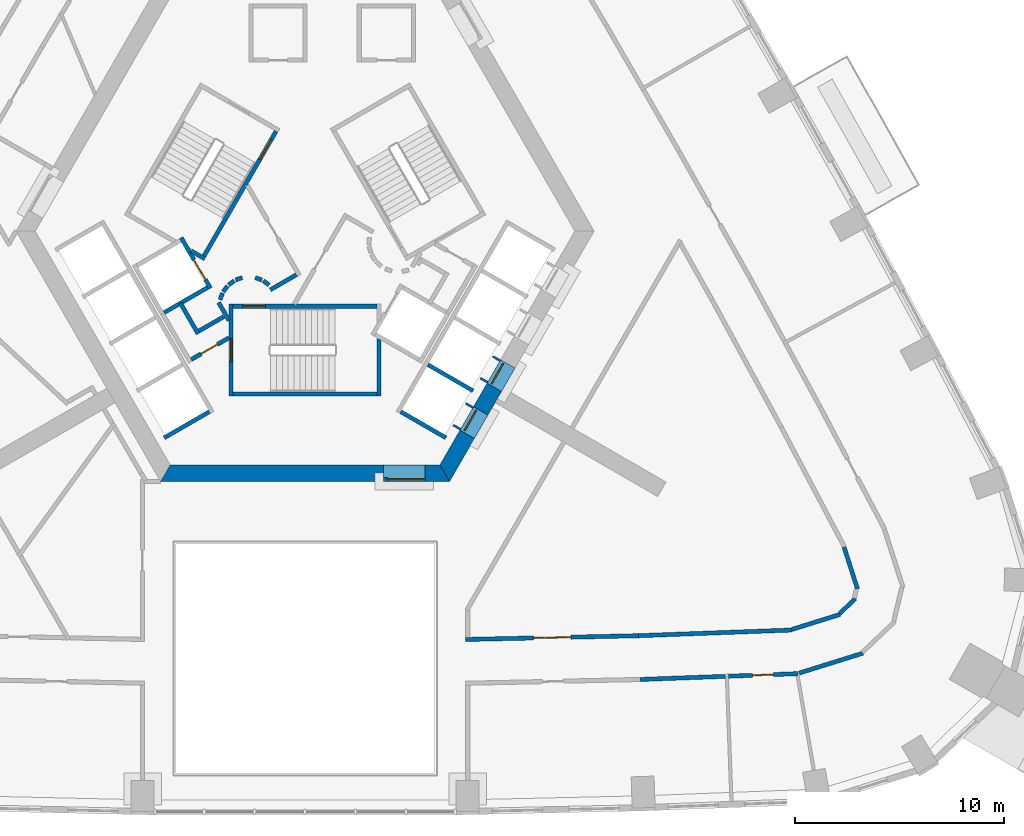
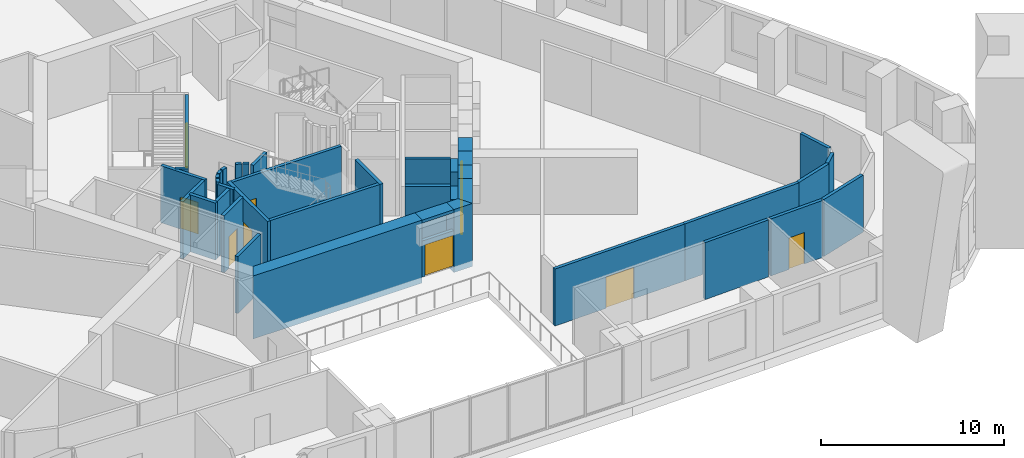
# One storey, part 6 of 14: 40 walls, 10 doors, 10 openings.
"""IFC4 building model written with IfcOpenShell, lengths in metres."""

from ifc_helpers import new_model, si_unit, direction, frame, frame_2d, origin, place, context, subcontext, project, spatial, polyline, rectangle, outline, extrude, material, layer, layer_set, type_object, element, fill, save


model = new_model("IFC4")

# Units and contexts
model_context = context("Model", 3, precision=1e-05, world=origin(), true_north=direction((0.0, 1.0)))
body_context = subcontext(model_context, "Body", "Model", "MODEL_VIEW")
ifc_project = project(units=[si_unit("LENGTHUNIT", "METRE"), si_unit("AREAUNIT", "SQUARE_METRE"), si_unit("VOLUMEUNIT", "CUBIC_METRE"), si_unit("PLANEANGLEUNIT", "RADIAN"), si_unit("MASSUNIT", "GRAM", prefix="KILO")], contexts=[model_context])

# Site, building, storey
site_placement = place(None, origin())
site = spatial("IfcSite", under=ifc_project, at=site_placement, CompositionType="ELEMENT")
building_placement = place(site_placement, origin())
building = spatial("IfcBuilding", under=site, at=building_placement, Name="Entoto Arch Interchange Tower", CompositionType="ELEMENT")
storey_placement = place(building_placement, frame((0.0, 0.0, 163.39990234375)))
storey = spatial("IfcBuildingStorey", under=building, at=storey_placement, Name="L36", CompositionType="ELEMENT", Elevation=163.39990234375)

# Wall, opening, door
ifc_material_1 = material(Name="Reinforced concrete C40/50", Category="concrete")
ifc_layer_1 = layer(ifc_material_1, 0.199951171875)
ifc_layer_set_1 = layer_set([ifc_layer_1], Name="Reinforced concrete C40/50")
wall_type_1 = type_object("IfcWallType", Name="CORE GAP INFILL WALL", PredefinedType="PARTITIONING", material=ifc_layer_set_1)
wall_1_placement = place(storey_placement, frame((3.75, -9.39990234375, 0.0), z_axis=(0.0, 0.0, 1.0), x_axis=(1.0, 0.0, 0.0)))
wall_1 = element("IfcWall", 1, at=wall_1_placement, inside=storey, type_object=wall_type_1, Name="wall:L36:gap1", PredefinedType="PARTITIONING", context=body_context, shape_type="SweptSolid", body=[
    extrude(rectangle(XDim=2.0, YDim=0.199951171875, at=frame_2d((1.0, 0.0))), origin(), (0.0, 0.0, 1.0), 2.400146484375),
])
opening_1_placement = place(wall_1_placement, frame((0.18994140625, 0.0, 0.0)))
opening_1 = element("IfcOpeningElement", 2, at=opening_1_placement, cuts=wall_1, Name="Opening L36-D91", PredefinedType="OPENING", context=body_context, shape_type="SweptSolid", body=[
    extrude(rectangle(XDim=1.800048828125, YDim=2.10009765625, at=frame_2d((0.89990234375, 1.050048828125))), frame((0.0, 0.10986328125, 0.0), z_axis=(0.0, -1.0, 0.0), x_axis=(1.0, 0.0, 0.0)), (0.0, 0.0, 1.0), 0.219970703125),
])
ifc_material_2 = material(Name="Fire-rated Steel S235 door and frame", Category="steel")
door_type_1 = type_object("IfcDoorType", Name="DOOR FD-18 1800x2100", OperationType="DOUBLE_DOOR_SINGLE_SWING", PredefinedType="DOOR", material=ifc_material_2)
door_1_placement = place(opening_1_placement, origin())
door_1 = element("IfcDoor", 3, at=door_1_placement, inside=storey, type_object=door_type_1, Name="door:L36:gap1", OperationType="DOUBLE_DOOR_SINGLE_SWING", OverallHeight=2.10009765625, OverallWidth=1.800048828125, PredefinedType="DOOR", context=body_context, shape_type="SweptSolid", body=[
    extrude(rectangle(XDim=1.800048828125, YDim=2.10009765625, at=frame_2d((0.89990234375, 1.050048828125))), frame((0.0, 0.02490234375, 0.0), z_axis=(0.0, -1.0, 0.0), x_axis=(1.0, 0.0, 0.0)), (0.0, 0.0, 1.0), 0.050048828125),
])
fill(opening_1, door_1)

# Walls
ifc_material_3 = material(Name="Concrete C50/60", Category="concrete")
ifc_layer_2 = layer(ifc_material_3, 0.800048828125)
ifc_layer_set_2 = layer_set([ifc_layer_2], Name="Concrete C50/60")
wall_type_2 = type_object("IfcWallType", Name="Core wall 800 C50/60", PredefinedType="SHEAR", material=ifc_layer_set_2)
wall_2_placement = place(storey_placement, frame((0.0, 0.0, -0.39990234375)))
element("IfcWall", 4, at=wall_2_placement, inside=storey, type_object=wall_type_2, Name="Core wall S L36", PredefinedType="SHEAR", context=body_context, shape_type="SweptSolid", body=[
    extrude(outline(polyline([(3.75, -9.5), (3.75, -8.699951171875), (-6.466064453125, -8.699951171875), (-6.927978515625, -9.5), (3.75, -9.5)])), origin(), (0.0, 0.0, 1.0), 4.199951171875),
])
wall_3_placement = place(storey_placement, frame((0.0, 0.0, -0.39990234375)))
element("IfcWall", 5, at=wall_3_placement, inside=storey, type_object=wall_type_2, Name="Core wall S L36", PredefinedType="SHEAR", context=body_context, shape_type="SweptSolid", body=[
    extrude(outline(polyline([(5.75, -8.699951171875), (5.75, -9.5), (6.927978515625, -9.5), (6.466064453125, -8.699951171875), (5.75, -8.699951171875)])), origin(), (0.0, 0.0, 1.0), 4.199951171875),
])
wall_4_placement = place(storey_placement, frame((0.0, 0.0, 3.60009765625)))
element("IfcWall", 6, at=wall_4_placement, inside=storey, type_object=wall_type_2, Name="Core wall lintel S L36", PredefinedType="SHEAR", context=body_context, shape_type="SweptSolid", body=[
    extrude(outline(polyline([(5.75, -9.5), (5.75, -8.699951171875), (3.75, -8.699951171875), (3.75, -9.5), (5.75, -9.5)])), origin(), (0.0, 0.0, 1.0), 0.199951171875),
])
wall_5_placement = place(storey_placement, frame((0.0, 0.0, -0.39990234375)))
element("IfcWall", 7, at=wall_5_placement, inside=storey, type_object=wall_type_2, Name="Core wall SE L36", PredefinedType="SHEAR", context=body_context, shape_type="SweptSolid", body=[
    extrude(outline(polyline([(8.116943359375, -7.43994140625), (7.424072265625, -7.0400390625), (6.466064453125, -8.699951171875), (6.927978515625, -9.5), (8.116943359375, -7.43994140625)])), origin(), (0.0, 0.0, 1.0), 4.199951171875),
])
wall_6_placement = place(storey_placement, frame((0.0, 0.0, -0.39990234375)))
element("IfcWall", 8, at=wall_6_placement, inside=storey, type_object=wall_type_2, Name="Core wall SE L36", PredefinedType="SHEAR", context=body_context, shape_type="SweptSolid", body=[
    extrude(outline(polyline([(9.4169921875, -5.18896484375), (8.72412109375, -4.7890625), (8.074951171875, -5.9140625), (8.76708984375, -6.31396484375), (9.4169921875, -5.18896484375)])), origin(), (0.0, 0.0, 1.0), 4.199951171875),
])
wall_7_placement = place(storey_placement, frame((0.0, 0.0, 3.60009765625)))
element("IfcWall", 9, at=wall_7_placement, inside=storey, type_object=wall_type_2, Name="Core wall lintel SE L36", PredefinedType="SHEAR", context=body_context, shape_type="SweptSolid", body=[
    extrude(outline(polyline([(8.76708984375, -6.31396484375), (8.074951171875, -5.9140625), (7.424072265625, -7.0400390625), (8.116943359375, -7.43994140625), (8.76708984375, -6.31396484375)])), origin(), (0.0, 0.0, 1.0), 0.199951171875),
])
wall_8_placement = place(storey_placement, frame((0.0, 0.0, 3.60009765625)))
element("IfcWall", 10, at=wall_8_placement, inside=storey, type_object=wall_type_2, Name="Core wall lintel SE L36", PredefinedType="SHEAR", context=body_context, shape_type="SweptSolid", body=[
    extrude(outline(polyline([(10.06689453125, -4.06298828125), (9.3740234375, -3.6630859375), (8.72412109375, -4.7890625), (9.4169921875, -5.18896484375), (10.06689453125, -4.06298828125)])), origin(), (0.0, 0.0, 1.0), 0.199951171875),
])

# Wall, opening, door
ifc_material_4 = material(Name="Concrete C40/50", Category="concrete")
ifc_layer_3 = layer(ifc_material_4, 1.199951171875)
ifc_layer_set_3 = layer_set([ifc_layer_3], Name="Concrete C40/50")
wall_type_3 = type_object("IfcWallType", Name="LIFT LANDING INFILL WALL", PredefinedType="STANDARD", material=ifc_layer_set_3)
wall_9_placement = place(storey_placement, frame((7.597900390625, -7.139892578125, 0.0), z_axis=(0.0, 0.0, 1.0), x_axis=(0.500362116554, 0.865816234728, 0.0)))
wall_9 = element("IfcWall", 11, at=wall_9_placement, inside=storey, type_object=wall_type_3, Name="Lift landing infill wall LR5 L36", PredefinedType="STANDARD", context=body_context, shape_type="SweptSolid", body=[
    extrude(rectangle(XDim=1.29931640625, YDim=1.199951171875, at=frame_2d((0.649658203125, 0.0))), origin(), (0.0, 0.0, 1.0), 2.400146484375),
])
opening_2_placement = place(wall_9_placement, frame((0.10009765625, 0.0, 0.0)))
opening_2 = element("IfcOpeningElement", 12, at=opening_2_placement, cuts=wall_9, Name="Opening LD-LR5-L36", PredefinedType="OPENING", context=body_context, shape_type="SweptSolid", body=[
    extrude(rectangle(XDim=1.10009765625, YDim=2.300048828125, at=frame_2d((0.550048828125, 1.14990234375))), frame((0.0, 0.60986328125, 0.0), z_axis=(0.0, -1.0, 0.0), x_axis=(1.0, 0.0, 0.0)), (0.0, 0.0, 1.0), 1.219970703125),
])
ifc_material_5 = material(Name="Stainless steel 1.4301 panels", Category="steel")
door_type_2 = type_object("IfcDoorType", Name="LIFT LANDING DOOR LD2 1100x2300", OperationType="SLIDING_TO_LEFT", PredefinedType="DOOR", material=ifc_material_5)
door_2_placement = place(opening_2_placement, origin())
door_2 = element("IfcDoor", 13, at=door_2_placement, inside=storey, type_object=door_type_2, Name="Lift landing door LR5 L36", OperationType="SLIDING_TO_LEFT", OverallHeight=2.300048828125, OverallWidth=1.10009765625, PredefinedType="DOOR", context=body_context, shape_type="SweptSolid", body=[
    extrude(rectangle(XDim=1.10009765625, YDim=2.300048828125, at=frame_2d((0.550048828125, 1.14990234375))), frame((0.0, 0.02490234375, 0.0), z_axis=(0.0, -1.0, 0.0), x_axis=(1.0, 0.0, 0.0)), (0.0, 0.0, 1.0), 0.050048828125),
])
fill(opening_2, door_2)

wall_10_placement = place(storey_placement, frame((8.89794921875, -4.888916015625, 0.0), z_axis=(0.0, 0.0, 1.0), x_axis=(0.500036693733, 0.866004217611, 0.0)))
wall_10 = element("IfcWall", 14, at=wall_10_placement, inside=storey, type_object=wall_type_3, Name="Lift landing infill wall LR6 L36", PredefinedType="STANDARD", context=body_context, shape_type="SweptSolid", body=[
    extrude(rectangle(XDim=1.30029296875, YDim=1.199951171875, at=frame_2d((0.650146484375, 0.0))), origin(), (0.0, 0.0, 1.0), 2.400146484375),
])
opening_3_placement = place(wall_10_placement, frame((0.10009765625, 0.0, 0.0)))
opening_3 = element("IfcOpeningElement", 15, at=opening_3_placement, cuts=wall_10, Name="Opening LD-LR6-L36", PredefinedType="OPENING", context=body_context, shape_type="SweptSolid", body=[
    extrude(rectangle(XDim=1.10009765625, YDim=2.300048828125, at=frame_2d((0.550048828125, 1.14990234375))), frame((0.0, 0.60986328125, 0.0), z_axis=(0.0, -1.0, 0.0), x_axis=(1.0, 0.0, 0.0)), (0.0, 0.0, 1.0), 1.219970703125),
])
door_3_placement = place(opening_3_placement, origin())
door_3 = element("IfcDoor", 16, at=door_3_placement, inside=storey, type_object=door_type_2, Name="Lift landing door LR6 L36", OperationType="SLIDING_TO_LEFT", OverallHeight=2.300048828125, OverallWidth=1.10009765625, PredefinedType="DOOR", context=body_context, shape_type="SweptSolid", body=[
    extrude(rectangle(XDim=1.10009765625, YDim=2.300048828125, at=frame_2d((0.550048828125, 1.14990234375))), frame((0.0, 0.02490234375, 0.0), z_axis=(0.0, -1.0, 0.0), x_axis=(1.0, 0.0, 0.0)), (0.0, 0.0, 1.0), 0.050048828125),
])
fill(opening_3, door_3)

ifc_layer_4 = layer(ifc_material_4, 0.199951171875)
ifc_layer_set_4 = layer_set([ifc_layer_4], Name="Concrete C40/50")
wall_type_4 = type_object("IfcWallType", Name="LIFT SHAFT WALL 200", PredefinedType="STANDARD", material=ifc_layer_set_4)
wall_11_placement = place(storey_placement, frame((-5.93994140625, 2.18798828125, 0.0), z_axis=(0.0, 0.0, 1.0), x_axis=(0.49994636267, -0.866056369097, 0.0)))
wall_11 = element("IfcWall", 17, at=wall_11_placement, inside=storey, type_object=wall_type_4, Name="Shaft wall SW1 front", PredefinedType="STANDARD", context=body_context, shape_type="SweptSolid", body=[
    extrude(rectangle(XDim=2.800048828125, YDim=0.199951171875, at=frame_2d((1.39990234375, 0.0))), origin(), (0.0, 0.0, 1.0), 3.800048828125),
])
opening_4_placement = place(wall_11_placement, frame((1.22509765625, 0.0, 0.0)))
opening_4 = element("IfcOpeningElement", 18, at=opening_4_placement, cuts=wall_11, Name="Opening LD-FF2-L36", PredefinedType="OPENING", context=body_context, shape_type="SweptSolid", body=[
    extrude(rectangle(XDim=1.10009765625, YDim=2.10009765625, at=frame_2d((0.550048828125, 1.050048828125))), frame((0.0, 0.10986328125, 0.0), z_axis=(0.0, -1.0, 0.0), x_axis=(1.0, 0.0, 0.0)), (0.0, 0.0, 1.0), 0.219970703125),
])
door_type_3 = type_object("IfcDoorType", Name="LIFT LANDING DOOR LD1 1100x2100", OperationType="SLIDING_TO_LEFT", PredefinedType="DOOR", material=ifc_material_5)
door_4_placement = place(opening_4_placement, origin())
door_4 = element("IfcDoor", 19, at=door_4_placement, inside=storey, type_object=door_type_3, Name="Lift landing door FF2 L36", OperationType="SLIDING_TO_LEFT", OverallHeight=2.10009765625, OverallWidth=1.10009765625, PredefinedType="DOOR", context=body_context, shape_type="SweptSolid", body=[
    extrude(rectangle(XDim=1.10009765625, YDim=2.10009765625, at=frame_2d((0.550048828125, 1.050048828125))), frame((0.0, 0.02490234375, 0.0), z_axis=(0.0, -1.0, 0.0), x_axis=(1.0, 0.0, 0.0)), (0.0, 0.0, 1.0), 0.050048828125),
])
fill(opening_4, door_4)

# Walls
wall_12_placement = place(storey_placement, frame((-4.677001953125, -0.199951171875, 0.0), z_axis=(0.0, 0.0, 1.0), x_axis=(-0.865973769406, -0.500089422704, 0.0)))
element("IfcWall", 20, at=wall_12_placement, inside=storey, type_object=wall_type_4, Name="Shaft wall SW1 cross 2", PredefinedType="STANDARD", context=body_context, shape_type="SweptSolid", body=[
    extrude(rectangle(XDim=2.3994140625, YDim=0.199951171875, at=frame_2d((1.19970703125, 0.0))), origin(), (0.0, 0.0, 1.0), 3.800048828125),
])
for number, where, z_axis, x_axis, name in (
    (21, (-4.587890625, -6.153076171875, 0.0), (0.0, 0.0, 1.0), (-0.866022959057, -0.500004234368, 0.0), "Shaft wall SW3 cross 5"),
    (22, (4.587890625, -6.153076171875, 0.0), (0.0, 0.0, 1.0), (0.866022959057, -0.500004234368, 0.0), "Shaft wall SE3 cross 1"),
    (23, (5.887939453125, -3.902099609375, 0.0), (0.0, 0.0, 1.0), (0.866022959057, -0.500004234368, 0.0), "Shaft wall SE3 cross 2"),
):
    element("IfcWall", number, at=place(storey_placement, frame(where, z_axis=z_axis, x_axis=x_axis)), inside=storey, type_object=wall_type_4, Name=name, PredefinedType="STANDARD", context=body_context, shape_type="SweptSolid", body=[
        extrude(rectangle(XDim=2.5, YDim=0.199951171875, at=frame_2d((1.25, 0.0))), origin(), (0.0, 0.0, 1.0), 3.800048828125),
    ])

# Wall, opening, door
ifc_material_6 = material(Name="Gypsum board partition on steel studs", Category="steel")
ifc_layer_5 = layer(ifc_material_6, 0.199951171875)
ifc_layer_set_5 = layer_set([ifc_layer_5], Name="Gypsum board partition on steel studs")
wall_type_5 = type_object("IfcWallType", Name="PARTITION 200", PredefinedType="PARTITIONING", material=ifc_layer_set_5)
wall_13_placement = place(storey_placement, frame((7.699951171875, -17.072998046875, 0.0), z_axis=(0.0, 0.0, 1.0), x_axis=(0.999764372799, 0.021707115919, 0.0)))
wall_13 = element("IfcWall", 24, at=wall_13_placement, inside=storey, type_object=wall_type_5, Name="wall:L36:p018", PredefinedType="PARTITIONING", context=body_context, shape_type="SweptSolid", body=[
    extrude(rectangle(XDim=8.2890625, YDim=0.199951171875, at=frame_2d((4.14453125, 0.0))), origin(), (0.0, 0.0, 1.0), 3.800048828125),
])
opening_5_placement = place(wall_13_placement, frame((3.2451171875, 0.0, 0.0)))
opening_5 = element("IfcOpeningElement", 25, at=opening_5_placement, cuts=wall_13, Name="Opening L36-D15", PredefinedType="OPENING", context=body_context, shape_type="SweptSolid", body=[
    extrude(rectangle(XDim=1.800048828125, YDim=2.10009765625, at=frame_2d((0.89990234375, 1.050048828125))), frame((0.0, 0.10986328125, 0.0), z_axis=(0.0, -1.0, 0.0), x_axis=(1.0, 0.0, 0.0)), (0.0, 0.0, 1.0), 0.219970703125),
])
ifc_material_7 = material(Name="Timber door leaf in Steel S235 frame", Category="steel")
door_type_4 = type_object("IfcDoorType", Name="DOOR DD-18 1800x2100", OperationType="DOUBLE_DOOR_SINGLE_SWING", PredefinedType="DOOR", material=ifc_material_7)
door_5_placement = place(opening_5_placement, origin())
door_5 = element("IfcDoor", 26, at=door_5_placement, inside=storey, type_object=door_type_4, Name="door:L36:15", OperationType="DOUBLE_DOOR_SINGLE_SWING", OverallHeight=2.10009765625, OverallWidth=1.800048828125, PredefinedType="DOOR", context=body_context, shape_type="SweptSolid", body=[
    extrude(rectangle(XDim=1.800048828125, YDim=2.10009765625, at=frame_2d((0.89990234375, 1.050048828125))), frame((0.0, 0.02490234375, 0.0), z_axis=(0.0, -1.0, 0.0), x_axis=(1.0, 0.0, 0.0)), (0.0, 0.0, 1.0), 0.050048828125),
])
fill(opening_5, door_5)

# Walls
wall_14_placement = place(storey_placement, frame((15.987060546875, -16.89306640625, 0.0), z_axis=(0.0, 0.0, 1.0), x_axis=(0.999316060953, 0.036978511606, 0.0)))
element("IfcWall", 27, at=wall_14_placement, inside=storey, type_object=wall_type_5, Name="wall:L36:p019", PredefinedType="PARTITIONING", context=body_context, shape_type="SweptSolid", body=[
    extrude(rectangle(XDim=7.35498046875, YDim=0.199951171875, at=frame_2d((3.677490234375, 0.0))), origin(), (0.0, 0.0, 1.0), 3.800048828125),
])
wall_15_placement = place(storey_placement, frame((23.3330078125, -16.594970703125, 0.0), z_axis=(0.0, 0.0, 1.0), x_axis=(0.95454810771, 0.298056890655, 0.0)))
element("IfcWall", 28, at=wall_15_placement, inside=storey, type_object=wall_type_5, Name="wall:L36:p020", PredefinedType="PARTITIONING", context=body_context, shape_type="SweptSolid", body=[
    extrude(rectangle(XDim=2.422119140625, YDim=0.199951171875, at=frame_2d((1.2109375, 0.0))), origin(), (0.0, 0.0, 1.0), 3.800048828125),
])
wall_16_placement = place(storey_placement, frame((25.6220703125, -15.833984375, 0.0), z_axis=(0.0, 0.0, 1.0), x_axis=(0.725069777966, 0.688675407634, 0.0)))
element("IfcWall", 29, at=wall_16_placement, inside=storey, type_object=wall_type_5, Name="wall:L36:p021", PredefinedType="PARTITIONING", context=body_context, shape_type="SweptSolid", body=[
    extrude(rectangle(XDim=1.039794921875, YDim=0.199951171875, at=frame_2d((0.52001953125, 0.0))), origin(), (0.0, 0.0, 1.0), 3.800048828125),
])
wall_17_placement = place(storey_placement, frame((26.48388671875, -14.657958984375, 0.0), z_axis=(0.0, 0.0, 1.0), x_axis=(-0.305169069368, 0.952298188122, 0.0)))
element("IfcWall", 30, at=wall_17_placement, inside=storey, type_object=wall_type_5, Name="wall:L36:p023", PredefinedType="PARTITIONING", context=body_context, shape_type="SweptSolid", body=[
    extrude(rectangle(XDim=2.116943359375, YDim=0.199951171875, at=frame_2d((1.05859375, 0.0))), origin(), (0.0, 0.0, 1.0), 3.800048828125),
])
wall_18_placement = place(storey_placement, frame((20.14306640625, -18.841064453125, 0.0), z_axis=(0.0, 0.0, 1.0), x_axis=(-0.999321592708, -0.036828716339, 0.0)))
element("IfcWall", 31, at=wall_18_placement, inside=storey, type_object=wall_type_5, Name="wall:L36:p043", PredefinedType="PARTITIONING", context=body_context, shape_type="SweptSolid", body=[
    extrude(rectangle(XDim=4.0966796875, YDim=0.199951171875, at=frame_2d((2.04833984375, 0.0))), origin(), (0.0, 0.0, 1.0), 3.800048828125),
])

# Wall, opening, door
wall_19_placement = place(storey_placement, frame((23.6201171875, -18.7119140625, 0.0), z_axis=(0.0, 0.0, 1.0), x_axis=(-0.999316841287, -0.03695741767, 0.0)))
wall_19 = element("IfcWall", 32, at=wall_19_placement, inside=storey, type_object=wall_type_5, Name="wall:L36:p045", PredefinedType="PARTITIONING", context=body_context, shape_type="SweptSolid", body=[
    extrude(rectangle(XDim=3.329345703125, YDim=0.199951171875, at=frame_2d((1.66455078125, 0.0))), origin(), (0.0, 0.0, 1.0), 3.800048828125),
])
opening_6_placement = place(wall_19_placement, frame((1.1650390625, 0.0, 0.0)))
opening_6 = element("IfcOpeningElement", 33, at=opening_6_placement, cuts=wall_19, Name="Opening L36-D02", PredefinedType="OPENING", context=body_context, shape_type="SweptSolid", body=[
    extrude(rectangle(XDim=1.0, YDim=2.10009765625, at=frame_2d((0.5, 1.050048828125))), frame((0.0, 0.10986328125, 0.0), z_axis=(0.0, -1.0, 0.0), x_axis=(1.0, 0.0, 0.0)), (0.0, 0.0, 1.0), 0.219970703125),
])
door_type_5 = type_object("IfcDoorType", Name="DOOR DS-10 1000x2100", OperationType="SINGLE_SWING_LEFT", PredefinedType="DOOR", material=ifc_material_7)
door_6_placement = place(opening_6_placement, origin())
door_6 = element("IfcDoor", 34, at=door_6_placement, inside=storey, type_object=door_type_5, Name="door:L36:02", OperationType="SINGLE_SWING_LEFT", OverallHeight=2.10009765625, OverallWidth=1.0, PredefinedType="DOOR", context=body_context, shape_type="SweptSolid", body=[
    extrude(rectangle(XDim=1.0, YDim=2.10009765625, at=frame_2d((0.5, 1.050048828125))), frame((0.0, 0.02490234375, 0.0), z_axis=(0.0, -1.0, 0.0), x_axis=(1.0, 0.0, 0.0)), (0.0, 0.0, 1.0), 0.050048828125),
])
fill(opening_6, door_6)

# Walls
wall_20_placement = place(storey_placement, frame((26.737060546875, -17.73193359375, 0.0), z_axis=(0.0, 0.0, 1.0), x_axis=(-0.954546657381, -0.298061535398, 0.0)))
element("IfcWall", 35, at=wall_20_placement, inside=storey, type_object=wall_type_5, Name="wall:L36:p051", PredefinedType="PARTITIONING", context=body_context, shape_type="SweptSolid", body=[
    extrude(rectangle(XDim=3.191162109375, YDim=0.199951171875, at=frame_2d((1.595703125, 0.0))), origin(), (0.0, 0.0, 1.0), 3.800048828125),
])
wall_21_placement = place(storey_placement, frame((-3.89990234375, -1.59912109375, 0.0), z_axis=(0.0, 0.0, 1.0), x_axis=(-0.865969445389, -0.500096910261, 0.0)))
element("IfcWall", 36, at=wall_21_placement, inside=storey, type_object=wall_type_5, Name="wall:L36:p092", PredefinedType="PARTITIONING", context=body_context, shape_type="SweptSolid", body=[
    extrude(rectangle(XDim=1.373291015625, YDim=0.199951171875, at=frame_2d((0.6865234375, 0.0))), origin(), (0.0, 0.0, 1.0), 3.800048828125),
])
wall_22_placement = place(storey_placement, frame((-5.1259765625, -2.422119140625, 0.0), z_axis=(0.0, 0.0, 1.0), x_axis=(-0.500062241894, 0.865989465428, 0.0)))
element("IfcWall", 37, at=wall_22_placement, inside=storey, type_object=wall_type_5, Name="wall:L36:p093", PredefinedType="PARTITIONING", context=body_context, shape_type="SweptSolid", body=[
    extrude(rectangle(XDim=1.699951171875, YDim=0.199951171875, at=frame_2d((0.85009765625, 0.0))), origin(), (0.0, 0.0, 1.0), 3.800048828125),
])

# Wall, opening, door
wall_23_placement = place(storey_placement, frame((-3.64990234375, -2.610107421875, 0.0), z_axis=(0.0, 0.0, 1.0), x_axis=(-0.866072462134, -0.499918483688, 0.0)))
wall_23 = element("IfcWall", 38, at=wall_23_placement, inside=storey, type_object=wall_type_5, Name="wall:L36:p094", PredefinedType="PARTITIONING", context=body_context, shape_type="SweptSolid", body=[
    extrude(rectangle(XDim=2.084228515625, YDim=0.199951171875, at=frame_2d((1.0419921875, 0.0))), origin(), (0.0, 0.0, 1.0), 3.800048828125),
])
opening_7_placement = place(wall_23_placement, frame((0.64208984375, 0.0, 0.0)))
opening_7 = element("IfcOpeningElement", 39, at=opening_7_placement, cuts=wall_23, Name="Opening L36-D30", PredefinedType="OPENING", context=body_context, shape_type="SweptSolid", body=[
    extrude(rectangle(XDim=0.89990234375, YDim=2.10009765625, at=frame_2d((0.449951171875, 1.050048828125))), frame((0.0, 0.10986328125, 0.0), z_axis=(0.0, -1.0, 0.0), x_axis=(1.0, 0.0, 0.0)), (0.0, 0.0, 1.0), 0.219970703125),
])
door_type_6 = type_object("IfcDoorType", Name="DOOR DS-09 900x2100", OperationType="SINGLE_SWING_LEFT", PredefinedType="DOOR", material=ifc_material_7)
door_7_placement = place(opening_7_placement, origin())
door_7 = element("IfcDoor", 40, at=door_7_placement, inside=storey, type_object=door_type_6, Name="door:L36:30", OperationType="SINGLE_SWING_LEFT", OverallHeight=2.10009765625, OverallWidth=0.89990234375, PredefinedType="DOOR", context=body_context, shape_type="SweptSolid", body=[
    extrude(rectangle(XDim=0.89990234375, YDim=2.10009765625, at=frame_2d((0.449951171875, 1.050048828125))), frame((0.0, 0.02490234375, 0.0), z_axis=(0.0, -1.0, 0.0), x_axis=(1.0, 0.0, 0.0)), (0.0, 0.0, 1.0), 0.050048828125),
])
fill(opening_7, door_7)

# Walls
wall_24_placement = place(storey_placement, frame((-4.14501953125, -0.919921875, 0.0), z_axis=(0.0, 0.0, 1.0), x_axis=(0.499743786207, -0.866173278362, 0.0)))
element("IfcWall", 41, at=wall_24_placement, inside=storey, type_object=wall_type_5, Name="wall:L36:p096", PredefinedType="PARTITIONING", context=body_context, shape_type="SweptSolid", body=[
    extrude(rectangle(XDim=0.99072265625, YDim=0.199951171875, at=frame_2d((0.495361328125, 0.0))), origin(), (0.0, 0.0, 1.0), 3.800048828125),
])
wall_25_placement = place(storey_placement, frame((-0.412109375, 0.4140625, 0.0), z_axis=(0.0, 0.0, 1.0), x_axis=(-0.866017369001, -0.500013916395, 0.0)))
element("IfcWall", 42, at=wall_25_placement, inside=storey, type_object=wall_type_5, Name="wall:L36:p109", PredefinedType="PARTITIONING", context=body_context, shape_type="SweptSolid", body=[
    extrude(rectangle(XDim=1.4501953125, YDim=0.199951171875, at=frame_2d((0.72509765625, 0.0))), origin(), (0.0, 0.0, 1.0), 3.800048828125),
])
wall_26_placement = place(storey_placement, frame((-1.73095703125, -0.076904296875, 0.0), z_axis=(0.0, 0.0, 1.0), x_axis=(-0.804311165252, 0.594208338422, 0.0)))
element("IfcWall", 43, at=wall_26_placement, inside=storey, type_object=wall_type_5, Name="wall:L36:p110", PredefinedType="PARTITIONING", context=body_context, shape_type="SweptSolid", body=[
    extrude(rectangle(XDim=0.338134765625, YDim=0.199951171875, at=frame_2d((0.1689453125, 0.0))), origin(), (0.0, 0.0, 1.0), 3.800048828125),
])
wall_27_placement = place(storey_placement, frame((-2.070068359375, 0.159912109375, 0.0), z_axis=(0.0, 0.0, 1.0), x_axis=(-0.942199461132, 0.335052496547, 0.0)))
element("IfcWall", 44, at=wall_27_placement, inside=storey, type_object=wall_type_5, Name="wall:L36:p111", PredefinedType="PARTITIONING", context=body_context, shape_type="SweptSolid", body=[
    extrude(rectangle(XDim=0.33740234375, YDim=0.199951171875, at=frame_2d((0.168701171875, 0.0))), origin(), (0.0, 0.0, 1.0), 3.800048828125),
])
wall_28_placement = place(storey_placement, frame((-3.011962890625, 0.27294921875, 0.0), z_axis=(0.0, 0.0, 1.0), x_axis=(-0.942280615813, -0.334824194261, 0.0)))
element("IfcWall", 45, at=wall_28_placement, inside=storey, type_object=wall_type_5, Name="wall:L36:p112", PredefinedType="PARTITIONING", context=body_context, shape_type="SweptSolid", body=[
    extrude(rectangle(XDim=0.337646484375, YDim=0.199951171875, at=frame_2d((0.1689453125, 0.0))), origin(), (0.0, 0.0, 1.0), 3.800048828125),
])
wall_29_placement = place(storey_placement, frame((-3.39697265625, 0.1240234375, 0.0), z_axis=(0.0, 0.0, 1.0), x_axis=(-0.804311165252, -0.594208338422, 0.0)))
element("IfcWall", 46, at=wall_29_placement, inside=storey, type_object=wall_type_5, Name="wall:L36:p113", PredefinedType="PARTITIONING", context=body_context, shape_type="SweptSolid", body=[
    extrude(rectangle(XDim=0.338134765625, YDim=0.199951171875, at=frame_2d((0.1689453125, 0.0))), origin(), (0.0, 0.0, 1.0), 3.800048828125),
])
wall_30_placement = place(storey_placement, frame((-3.722900390625, -0.131103515625, 0.0), z_axis=(0.0, 0.0, 1.0), x_axis=(-0.594675113454, -0.803966112121, 0.0)))
element("IfcWall", 47, at=wall_30_placement, inside=storey, type_object=wall_type_5, Name="wall:L36:p114", PredefinedType="PARTITIONING", context=body_context, shape_type="SweptSolid", body=[
    extrude(rectangle(XDim=0.33837890625, YDim=0.199951171875, at=frame_2d((0.169189453125, 0.0))), origin(), (0.0, 0.0, 1.0), 3.800048828125),
])
wall_31_placement = place(storey_placement, frame((-3.9599609375, -0.469970703125, 0.0), z_axis=(0.0, 0.0, 1.0), x_axis=(-0.334824194261, -0.942280615813, 0.0)))
element("IfcWall", 48, at=wall_31_placement, inside=storey, type_object=wall_type_5, Name="wall:L36:p115", PredefinedType="PARTITIONING", context=body_context, shape_type="SweptSolid", body=[
    extrude(rectangle(XDim=0.337646484375, YDim=0.199951171875, at=frame_2d((0.1689453125, 0.0))), origin(), (0.0, 0.0, 1.0), 3.800048828125),
])

# Wall, opening, door
ifc_layer_6 = layer(ifc_material_4, 0.199951171875)
ifc_layer_set_6 = layer_set([ifc_layer_6], Name="Concrete C40/50")
wall_type_6 = type_object("IfcWallType", Name="STAIR ENCLOSURE WALL 200", PredefinedType="STANDARD", material=ifc_layer_set_6)
wall_32_placement = place(storey_placement, frame((-3.550048828125, -1.0, 0.0), z_axis=(0.0, 0.0, 1.0), x_axis=(0.0, -1.0, 0.0)))
wall_32 = element("IfcWall", 49, at=wall_32_placement, inside=storey, type_object=wall_type_6, Name="Stair wall ST-S near", PredefinedType="STANDARD", context=body_context, shape_type="SweptSolid", body=[
    extrude(rectangle(XDim=4.39990234375, YDim=0.199951171875, at=frame_2d((2.199951171875, 0.0))), origin(), (0.0, 0.0, 1.0), 3.800048828125),
])
opening_8_placement = place(wall_32_placement, frame((1.64990234375, 0.0, 0.0)))
opening_8 = element("IfcOpeningElement", 50, at=opening_8_placement, cuts=wall_32, Name="Opening SD-ST-S-L36-E", PredefinedType="OPENING", context=body_context, shape_type="SweptSolid", body=[
    extrude(rectangle(XDim=1.10009765625, YDim=2.199951171875, at=frame_2d((0.550048828125, 1.10009765625))), frame((0.0, 0.10986328125, 0.0), z_axis=(0.0, -1.0, 0.0), x_axis=(1.0, 0.0, 0.0)), (0.0, 0.0, 1.0), 0.219970703125),
])
ifc_material_8 = material(Name="Steel S235", Category="steel")
door_type_7 = type_object("IfcDoorType", Name="STAIR DOOR SD1 1100x2200", OperationType="SINGLE_SWING_LEFT", PredefinedType="DOOR", material=ifc_material_8)
door_8_placement = place(opening_8_placement, origin())
door_8 = element("IfcDoor", 51, at=door_8_placement, inside=storey, type_object=door_type_7, Name="Stair door ST-S L36 end", OperationType="SINGLE_SWING_LEFT", OverallHeight=2.199951171875, OverallWidth=1.10009765625, PredefinedType="DOOR", context=body_context, shape_type="SweptSolid", body=[
    extrude(rectangle(XDim=1.10009765625, YDim=2.199951171875, at=frame_2d((0.550048828125, 1.10009765625))), frame((0.0, 0.02490234375, 0.0), z_axis=(0.0, -1.0, 0.0), x_axis=(1.0, 0.0, 0.0)), (0.0, 0.0, 1.0), 0.050048828125),
])
fill(opening_8, door_8)

# Wall
wall_33_placement = place(storey_placement, frame((3.550048828125, -2.6669921875, 0.0), z_axis=(0.0, 0.0, 1.0), x_axis=(0.0, -1.0, 0.0)))
element("IfcWall", 52, at=wall_33_placement, inside=storey, type_object=wall_type_6, Name="Stair wall ST-S far", PredefinedType="STANDARD", context=body_context, shape_type="SweptSolid", body=[
    extrude(rectangle(XDim=2.73291015625, YDim=0.199951171875, at=frame_2d((1.366455078125, 0.0))), origin(), (0.0, 0.0, 1.0), 3.800048828125),
])

# Wall, opening, door
wall_34_placement = place(storey_placement, frame((-3.449951171875, -1.10009765625, 0.0), z_axis=(0.0, 0.0, 1.0), x_axis=(1.0, 0.0, 0.0)))
wall_34 = element("IfcWall", 53, at=wall_34_placement, inside=storey, type_object=wall_type_6, Name="Stair wall ST-S hall", PredefinedType="STANDARD", context=body_context, shape_type="SweptSolid", body=[
    extrude(rectangle(XDim=6.89990234375, YDim=0.199951171875, at=frame_2d((3.449951171875, 0.0))), origin(), (0.0, 0.0, 1.0), 3.800048828125),
])
opening_9_placement = place(wall_34_placement, frame((0.449951171875, 0.0, 0.0)))
opening_9 = element("IfcOpeningElement", 54, at=opening_9_placement, cuts=wall_34, Name="Opening SD-ST-S-L36", PredefinedType="OPENING", context=body_context, shape_type="SweptSolid", body=[
    extrude(rectangle(XDim=1.10009765625, YDim=2.199951171875, at=frame_2d((0.550048828125, 1.10009765625))), frame((0.0, 0.10986328125, 0.0), z_axis=(0.0, -1.0, 0.0), x_axis=(1.0, 0.0, 0.0)), (0.0, 0.0, 1.0), 0.219970703125),
])
door_9_placement = place(opening_9_placement, origin())
door_9 = element("IfcDoor", 55, at=door_9_placement, inside=storey, type_object=door_type_7, Name="Stair door ST-S L36", OperationType="SINGLE_SWING_LEFT", OverallHeight=2.199951171875, OverallWidth=1.10009765625, PredefinedType="DOOR", context=body_context, shape_type="SweptSolid", body=[
    extrude(rectangle(XDim=1.10009765625, YDim=2.199951171875, at=frame_2d((0.550048828125, 1.10009765625))), frame((0.0, 0.02490234375, 0.0), z_axis=(0.0, -1.0, 0.0), x_axis=(1.0, 0.0, 0.0)), (0.0, 0.0, 1.0), 0.050048828125),
])
fill(opening_9, door_9)

# Walls
wall_35_placement = place(storey_placement, frame((-3.449951171875, -5.300048828125, 0.0), z_axis=(0.0, 0.0, 1.0), x_axis=(1.0, 0.0, 0.0)))
element("IfcWall", 56, at=wall_35_placement, inside=storey, type_object=wall_type_6, Name="Stair wall ST-S back", PredefinedType="STANDARD", context=body_context, shape_type="SweptSolid", body=[
    extrude(rectangle(XDim=6.89990234375, YDim=0.199951171875, at=frame_2d((3.449951171875, 0.0))), origin(), (0.0, 0.0, 1.0), 3.800048828125),
])
wall_36_placement = place(storey_placement, frame((-4.805908203125, 1.176025390625, 0.0), z_axis=(0.0, 0.0, 1.0), x_axis=(-0.866558586415, 0.499075361355, 0.0)))
element("IfcWall", 57, at=wall_36_placement, inside=storey, type_object=wall_type_6, Name="Stair wall ST-NW far return", PredefinedType="STANDARD", context=body_context, shape_type="SweptSolid", body=[
    extrude(rectangle(XDim=0.75146484375, YDim=0.199951171875, at=frame_2d((0.375732421875, 0.0))), origin(), (0.0, 0.0, 1.0), 3.800048828125),
])

# Wall, opening, door
wall_37_placement = place(storey_placement, frame((-1.39306640625, 7.2880859375, 0.0), z_axis=(0.0, 0.0, 1.0), x_axis=(-0.499963383562, -0.866046543262, 0.0)))
wall_37 = element("IfcWall", 58, at=wall_37_placement, inside=storey, type_object=wall_type_6, Name="Stair wall ST-NW hall", PredefinedType="STANDARD", context=body_context, shape_type="SweptSolid", body=[
    extrude(rectangle(XDim=6.900390625, YDim=0.199951171875, at=frame_2d((3.4501953125, 0.0))), origin(), (0.0, 0.0, 1.0), 3.800048828125),
])
opening_10_placement = place(wall_37_placement, frame((0.449951171875, 0.0, 0.0)))
opening_10 = element("IfcOpeningElement", 59, at=opening_10_placement, cuts=wall_37, Name="Opening SD-ST-NW-L36", PredefinedType="OPENING", context=body_context, shape_type="SweptSolid", body=[
    extrude(rectangle(XDim=1.10009765625, YDim=2.199951171875, at=frame_2d((0.550048828125, 1.10009765625))), frame((0.0, 0.10986328125, 0.0), z_axis=(0.0, -1.0, 0.0), x_axis=(1.0, 0.0, 0.0)), (0.0, 0.0, 1.0), 0.219970703125),
])
door_10_placement = place(opening_10_placement, origin())
door_10 = element("IfcDoor", 60, at=door_10_placement, inside=storey, type_object=door_type_7, Name="Stair door ST-NW L36", OperationType="SINGLE_SWING_LEFT", OverallHeight=2.199951171875, OverallWidth=1.10009765625, PredefinedType="DOOR", context=body_context, shape_type="SweptSolid", body=[
    extrude(rectangle(XDim=1.10009765625, YDim=2.199951171875, at=frame_2d((0.550048828125, 1.10009765625))), frame((0.0, 0.02490234375, 0.0), z_axis=(0.0, -1.0, 0.0), x_axis=(1.0, 0.0, 0.0)), (0.0, 0.0, 1.0), 0.050048828125),
])
fill(opening_10, door_10)

save(model, "model.ifc")
